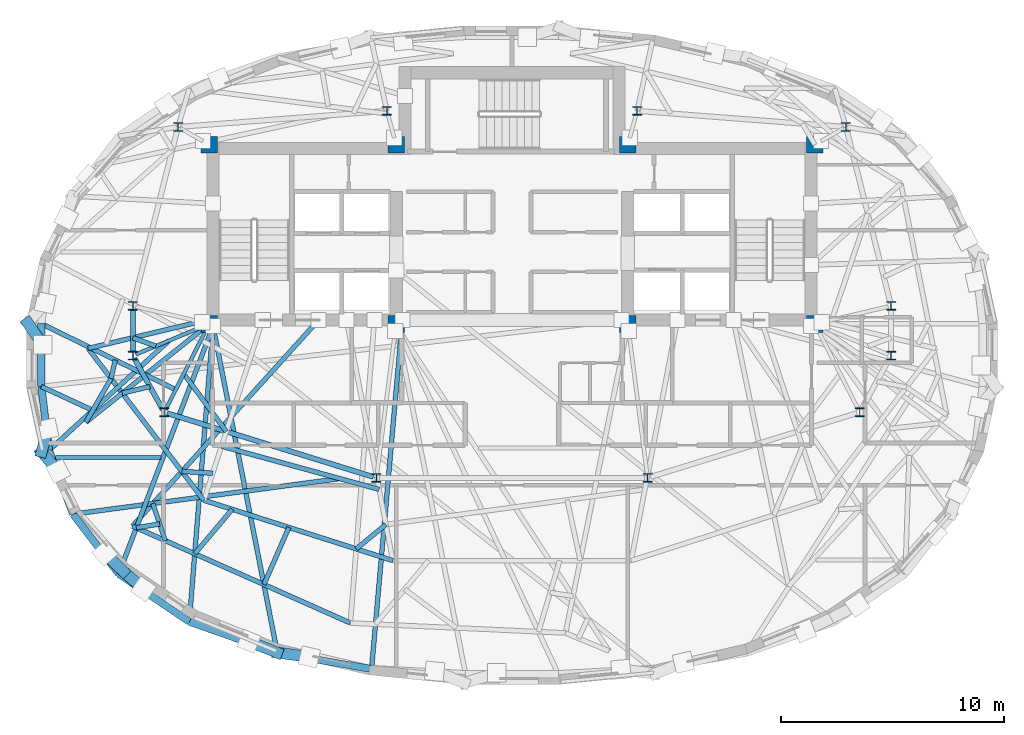
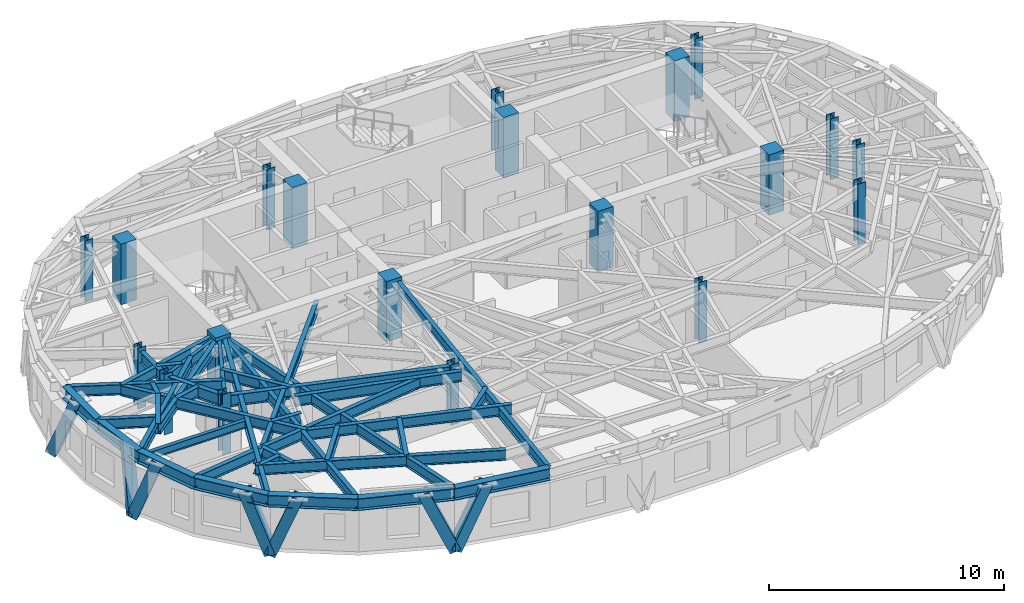
# One storey, part 1 of 13: 39 beams, 20 columns, 7 members.
"""IFC4 building model written with IfcOpenShell, lengths in metres."""

import ifcopenshell
import ifcopenshell.guid

model = None  # the IFC model being written
_history = None  # IfcOwnerHistory: only IFC2X3 demands one
_inside = {}  # id of a spatial element -> (the spatial element, [elements in it])
_under = {}  # id of a project, library or spatial element -> (it, [spatial elements below it])
_declared = {}  # id of a project -> (the project, [libraries it declares])
_typed = {}  # id of a type object -> (the type object, [elements of that type])
_made_of = {}  # id of a material, layer set ... -> (it, [elements and type objects made of it])


def new_model(schema):
    """Start an empty IFC model of exactly this schema.

    Asked for "IFC4X3", IfcOpenShell would pick the latest addendum, in which some entities
    have other attributes; the version numbers below select the first issue.
    IFC2X3 requires an IfcOwnerHistory on every rooted entity: one is made here for all.
    """
    global model, _history
    if schema == "IFC4X3":
        model = ifcopenshell.file(schema_version=(4, 3, 0, 0))
    else:
        model = ifcopenshell.file(schema=schema)
    _inside.clear()
    _under.clear()
    _declared.clear()
    _typed.clear()
    _made_of.clear()
    _history = None
    if model.schema == "IFC2X3":
        org = make("IfcOrganization", Name="unknown")
        user = make(
            "IfcPersonAndOrganization",
            ThePerson=make("IfcPerson", FamilyName="unknown"),
            TheOrganization=org,
        )
        app = make(
            "IfcApplication",
            ApplicationDeveloper=org,
            Version="unknown",
            ApplicationFullName="unknown",
            ApplicationIdentifier="unknown",
        )
        _history = make(
            "IfcOwnerHistory",
            OwningUser=user,
            OwningApplication=app,
            ChangeAction="ADDED",
            CreationDate=0,
        )
    return model


def make(cls, **values):
    """One entity of the class cls with the attributes given. An attribute that is None is left unset."""
    return model.create_entity(
        cls, **{name: value for name, value in values.items() if value is not None}
    )


def rooted(cls, **values):
    """An entity with a GlobalId (a new one), such as an element, a storey or a relation."""
    return make(cls, GlobalId=ifcopenshell.guid.new(), OwnerHistory=_history, **values)


def si_unit(unit_type, name, prefix=None):
    """IfcSIUnit, for example si_unit("LENGTHUNIT", "METRE", prefix="MILLI")."""
    return make("IfcSIUnit", UnitType=unit_type, Prefix=prefix, Name=name)


def assignment(units):
    """IfcUnitAssignment: the units of a project."""
    return None if units is None else make("IfcUnitAssignment", Units=units)


def point(xyz):
    """IfcCartesianPoint."""
    return None if xyz is None else make("IfcCartesianPoint", Coordinates=xyz)


def direction(xyz):
    """IfcDirection."""
    return None if xyz is None else make("IfcDirection", DirectionRatios=xyz)


def frame(location, z_axis=None, x_axis=None):
    """IfcAxis2Placement3D, a coordinate frame: its origin and axes. An axis left out is left unset."""
    return make(
        "IfcAxis2Placement3D",
        Location=point(location),
        Axis=direction(z_axis),
        RefDirection=direction(x_axis),
    )


def frame_2d(location, x_axis=None):
    """IfcAxis2Placement2D, a coordinate frame in the plane: its origin and x axis."""
    return make(
        "IfcAxis2Placement2D", Location=point(location), RefDirection=direction(x_axis)
    )


def origin():
    """The frame at (0, 0, 0) with its axes left unset."""
    return frame((0.0, 0.0, 0.0))


def origin_2d():
    """The frame at (0, 0) in the plane with its x axis left unset."""
    return frame_2d((0.0, 0.0))


def place(relative_to, where):
    """IfcLocalPlacement: puts the frame where relative to a parent placement (None: the world)."""
    return make(
        "IfcLocalPlacement", PlacementRelTo=relative_to, RelativePlacement=where
    )


def context(
    kind, dimensions, precision=None, world=None, true_north=None, identifier=None
):
    """IfcGeometricRepresentationContext, for example the 3D "Model" context."""
    return make(
        "IfcGeometricRepresentationContext",
        ContextIdentifier=identifier,
        ContextType=kind,
        CoordinateSpaceDimension=dimensions,
        Precision=precision,
        WorldCoordinateSystem=world,
        TrueNorth=true_north,
    )


def subcontext(parent, identifier, kind, view, scale=None):
    """IfcGeometricRepresentationSubContext, for example "Body" below "Model"."""
    return make(
        "IfcGeometricRepresentationSubContext",
        ContextIdentifier=identifier,
        ContextType=kind,
        ParentContext=parent,
        TargetScale=scale,
        TargetView=view,
    )


def project(units=None, contexts=None):
    """IfcProject with its units and contexts."""
    return rooted(
        "IfcProject",
        Name="project",
        RepresentationContexts=contexts,
        UnitsInContext=assignment(units),
    )


def spatial(cls, under=None, at=None, **own):
    """A site, building, storey or space (cls), placed at a placement, below another one or the project."""
    s = rooted(cls, ObjectPlacement=at, **own)
    if under is not None:
        _under.setdefault(under.id(), (under, []))[1].append(s)
    return s


def profile(cls, at=None, kind="AREA", **sizes):
    """A parametric profile (cls). Its sizes go by their IFC names, for example OverallWidth=200.0."""
    return make(cls, ProfileType=kind, Position=at, **sizes)


def rectangle(**sizes):
    """IfcRectangleProfileDef."""
    return profile("IfcRectangleProfileDef", **sizes)


def hollow_rectangle(**sizes):
    """IfcRectangleHollowProfileDef."""
    return profile("IfcRectangleHollowProfileDef", **sizes)


def i_section(**sizes):
    """IfcIShapeProfileDef."""
    return profile("IfcIShapeProfileDef", **sizes)


def extrude(swept, where, along, depth):
    """IfcExtrudedAreaSolid: the profile swept, set in the frame where, extruded along a direction by depth."""
    return make(
        "IfcExtrudedAreaSolid",
        SweptArea=swept,
        Position=where,
        ExtrudedDirection=direction(along),
        Depth=depth,
    )


def shape(context_of_items, identifier, shape_type, items):
    """IfcShapeRepresentation: the items that make up one representation, for example the "Body"."""
    return make(
        "IfcShapeRepresentation",
        ContextOfItems=context_of_items,
        RepresentationIdentifier=identifier,
        RepresentationType=shape_type,
        Items=items,
    )


def material(Name=None, Category=None):
    """IfcMaterial."""
    return make("IfcMaterial", Name=Name, Category=Category)


def material_profile(
    of_material, cross_section, Name=None, Category=None, Priority=None
):
    """IfcMaterialProfile: a cross section and its material."""
    return make(
        "IfcMaterialProfile",
        Name=Name,
        Material=of_material,
        Profile=cross_section,
        Priority=Priority,
        Category=Category,
    )


def profile_set(profiles, Name=None, composite=None):
    """IfcMaterialProfileSet."""
    return make(
        "IfcMaterialProfileSet",
        Name=Name,
        MaterialProfiles=profiles,
        CompositeProfile=composite,
    )


def made_of(thing, what):
    """Note that an element or type object is made of a material, layer set ...; save() writes the relation."""
    if what is not None:
        _made_of.setdefault(what.id(), (what, []))[1].append(thing)
    return thing


def type_object(cls, material=None, **own):
    """A type object (cls), such as IfcWallType, which elements share."""
    return made_of(rooted(cls, **own), material)


def element(
    cls,
    number,
    at=None,
    inside=None,
    cuts=None,
    type_object=None,
    material=None,
    context=None,
    identifier="Body",
    shape_type=None,
    held_by="IfcProductDefinitionShape",
    body=None,
    shapes=None,
    **own,
):
    """One element of the class cls, such as IfcWall. Its Tag is "e" and its number.

    at: its placement. inside: the storey or other place that contains it. cuts: it is an
    opening in that element (IfcRelVoidsElement). A single representation is given by context,
    identifier, shape_type and body (its items); several are given by shapes. held_by: the class
    of the entity that holds the representations. save() writes the other relations.
    """
    e = rooted(cls, Tag="e%d" % number, ObjectPlacement=at, **own)
    if body is not None:
        shapes = [shape(context, identifier, shape_type, body)]
    if shapes is not None:
        e.Representation = make(held_by, Representations=shapes)
    if inside is not None:
        _inside.setdefault(inside.id(), (inside, []))[1].append(e)
    if cuts is not None:
        rooted(
            "IfcRelVoidsElement", RelatingBuildingElement=cuts, RelatedOpeningElement=e
        )
    if type_object is not None:
        _typed.setdefault(type_object.id(), (type_object, []))[1].append(e)
    return made_of(e, material)


def aggregate(whole, parts):
    """IfcRelAggregates: a whole, such as a stair, and the parts it consists of."""
    return rooted("IfcRelAggregates", RelatingObject=whole, RelatedObjects=parts)


def save(model, path):
    """Write the relations noted so far, then the file.

    IfcRelAggregates (storeys below a building ...), IfcRelContainedInSpatialStructure (elements
    in a storey), IfcRelDefinesByType, IfcRelAssociatesMaterial and IfcRelDeclares: one each for
    every whole, place, type object, material and project.
    """
    for whole, parts in _under.values():
        aggregate(whole, parts)
    for where, things in _inside.values():
        rooted(
            "IfcRelContainedInSpatialStructure",
            RelatedElements=things,
            RelatingStructure=where,
        )
    for kind, things in _typed.values():
        rooted("IfcRelDefinesByType", RelatedObjects=things, RelatingType=kind)
    for what, things in _made_of.values():
        rooted("IfcRelAssociatesMaterial", RelatedObjects=things, RelatingMaterial=what)
    for by, libraries in _declared.values():
        rooted("IfcRelDeclares", RelatingContext=by, RelatedDefinitions=libraries)
    model.write(path)


model = new_model("IFC4")

# Units and contexts
model_context = context("Model", 3, precision=1e-05, world=origin(), true_north=direction((0.0, 1.0)))
body_context = subcontext(model_context, "Body", "Model", "MODEL_VIEW")
ifc_project = project(units=[si_unit("LENGTHUNIT", "METRE"), si_unit("AREAUNIT", "SQUARE_METRE"), si_unit("VOLUMEUNIT", "CUBIC_METRE"), si_unit("PLANEANGLEUNIT", "RADIAN"), si_unit("MASSUNIT", "GRAM", prefix="KILO")], contexts=[model_context])

# Site, building, storey
site_placement = place(None, origin())
site = spatial("IfcSite", under=ifc_project, at=site_placement, CompositionType="ELEMENT")
building_placement = place(site_placement, origin())
building = spatial("IfcBuilding", under=site, at=building_placement, Name="Keldmark Tower", CompositionType="ELEMENT")
storey_placement = place(building_placement, frame((0.0, 0.0, 244.64990234375)))
storey = spatial("IfcBuildingStorey", under=building, at=storey_placement, Name="L69", CompositionType="ELEMENT", Elevation=244.64990234375)

# Columns
ifc_material_1 = material(Name="Concrete C50/60", Category="concrete")
ifc_material_profile_1 = material_profile(ifc_material_1, rectangle(XDim=0.75, YDim=0.75, at=origin_2d()), Name="RC750X750")
ifc_profile_set_1 = profile_set([ifc_material_profile_1], Name="Concrete C50/60")
column_type_1 = type_object("IfcColumnType", Name="Core Boundary Column RC750", PredefinedType="PILASTER", material=ifc_profile_set_1)
for number, where, z_axis, x_axis, name in (
    (1, (-13.60009765625, 1.39990234375, 0.0), (0.0, 0.0, 1.0), (1.0, 0.0, 0.0), "L69 Core Boundary Column CC-W1"),
    (2, (-13.60009765625, 9.449951171875, 0.0), (0.0, 0.0, 1.0), (1.0, 0.0, 0.0), "L69 Core Boundary Column CC-W2"),
    (3, (-5.199951171875, 1.39990234375, 0.0), (0.0, 0.0, 1.0), (1.0, 0.0, 0.0), "L69 Core Boundary Column CC-W3"),
    (4, (-5.199951171875, 9.449951171875, 0.0), (0.0, 0.0, 1.0), (1.0, 0.0, 0.0), "L69 Core Boundary Column CC-W4"),
    (5, (5.199951171875, 1.39990234375, 0.0), (0.0, 0.0, 1.0), (1.0, 0.0, 0.0), "L69 Core Boundary Column CC-E1"),
    (6, (5.199951171875, 9.449951171875, 0.0), (0.0, 0.0, 1.0), (1.0, 0.0, 0.0), "L69 Core Boundary Column CC-E2"),
    (7, (13.60009765625, 1.39990234375, 0.0), (0.0, 0.0, 1.0), (1.0, 0.0, 0.0), "L69 Core Boundary Column CC-E3"),
    (8, (13.60009765625, 9.449951171875, 0.0), (0.0, 0.0, 1.0), (1.0, 0.0, 0.0), "L69 Core Boundary Column CC-E4"),
):
    element("IfcColumn", number, at=place(storey_placement, frame(where, z_axis=z_axis, x_axis=x_axis)), inside=storey, type_object=column_type_1, Name=name, PredefinedType="PILASTER", context=body_context, shape_type="SweptSolid", body=[
        extrude(rectangle(XDim=0.75, YDim=0.75, at=origin_2d()), origin(), (0.0, 0.0, 1.0), 3.150146484375),
    ])
ifc_material_2 = material(Name="Steel ASTM A992 Grade 50", Category="steel")
ifc_material_profile_2 = material_profile(ifc_material_2, i_section(OverallWidth=0.39892578125, OverallDepth=0.386962890625, WebThickness=0.02099609375, FlangeThickness=0.033203125, at=origin_2d()), Name="W14X176")
ifc_profile_set_2 = profile_set([ifc_material_profile_2], Name="Steel ASTM A992 Grade 50")
column_type_2 = type_object("IfcColumnType", Name="Tower Gravity Column W14X176", PredefinedType="COLUMN", material=ifc_profile_set_2)
for number, where, z_axis, x_axis, name in (
    (9, (17.025634765625, 2.2080078125, 0.0), (0.0, 0.0, 1.0), (1.0, 0.0, 0.0), "L69 Tower Gravity Column TC-E1"),
    (10, (14.995849609375, 10.24365234375, 0.0), (0.0, 0.0, 1.0), (1.0, 0.0, 0.0), "L69 Tower Gravity Column TC-E4"),
    (11, (5.61865234375, 10.967041015625, 0.0), (0.0, 0.0, 1.0), (1.0, 0.0, 0.0), "L69 Tower Gravity Column TC-N2"),
    (12, (-5.61865234375, 10.967041015625, 0.0), (0.0, 0.0, 1.0), (1.0, 0.0, 0.0), "L69 Tower Gravity Column TC-N1"),
    (13, (-14.995849609375, 10.24365234375, 0.0), (0.0, 0.0, 1.0), (1.0, 0.0, 0.0), "L69 Tower Gravity Column TC-W4"),
    (14, (-17.025634765625, 2.2080078125, 0.0), (0.0, 0.0, 1.0), (1.0, 0.0, 0.0), "L69 Tower Gravity Column TC-W1"),
    (15, (-17.025634765625, -0.02392578125, 0.0), (0.0, 0.0, 1.0), (1.0, 0.0, 0.0), "L69 Tower Gravity Column TC-W5"),
    (16, (-15.6162109375, -2.5673828125, 0.0), (0.0, 0.0, 1.0), (1.0, 0.0, 0.0), "L69 Tower Gravity Column TC-W2"),
    (17, (-6.089599609375, -5.512939453125, 0.0), (0.0, 0.0, 1.0), (1.0, 0.0, 0.0), "L69 Tower Gravity Column TC-W3"),
    (18, (6.089599609375, -5.512939453125, 0.0), (0.0, 0.0, 1.0), (1.0, 0.0, 0.0), "L69 Tower Gravity Column TC-E3"),
    (19, (15.6162109375, -2.5673828125, 0.0), (0.0, 0.0, 1.0), (1.0, 0.0, 0.0), "L69 Tower Gravity Column TC-E2"),
    (20, (17.025634765625, -0.02392578125, 0.0), (0.0, 0.0, 1.0), (1.0, 0.0, 0.0), "L69 Tower Gravity Column TC-E5"),
):
    element("IfcColumn", number, at=place(storey_placement, frame(where, z_axis=z_axis, x_axis=x_axis)), inside=storey, type_object=column_type_2, Name=name, PredefinedType="COLUMN", context=body_context, shape_type="SweptSolid", body=[
        extrude(i_section(OverallWidth=0.39892578125, OverallDepth=0.386962890625, WebThickness=0.02099609375, FlangeThickness=0.033203125, at=origin_2d()), origin(), (0.0, 0.0, 1.0), 3.150146484375),
    ])

# Beam
ifc_material_3 = material(Name="Steel ASTM A992 Grade 50", Category="steel")
ifc_material_profile_3 = material_profile(ifc_material_3, i_section(OverallWidth=0.177978515625, OverallDepth=0.403076171875, WebThickness=0.007568359375, FlangeThickness=0.010986328125, at=origin_2d()), Name="W16X36")
ifc_profile_set_3 = profile_set([ifc_material_profile_3], Name="Steel ASTM A992 Grade 50")
beam_type_1 = type_object("IfcBeamType", Name="Composite Floor Joist W16X36", PredefinedType="JOIST", material=ifc_profile_set_3)
beam_1_placement = place(storey_placement, frame((-20.50439453125, -4.60009765625, 2.7685546875), z_axis=(1.0, 0.0, 0.0), x_axis=(0.0, 1.0, 0.0)))
element("IfcBeam", 21, at=beam_1_placement, inside=storey, type_object=beam_type_1, Name="L69 Composite Floor Joist J02", PredefinedType="JOIST", context=body_context, shape_type="SweptSolid", body=[
    extrude(i_section(OverallWidth=0.177978515625, OverallDepth=0.403076171875, WebThickness=0.007568359375, FlangeThickness=0.010986328125, at=origin_2d()), origin(), (0.0, 0.0, 1.0), 4.7314453125),
])

# Members
ifc_material_4 = material(Name="Steel ASTM A572 Grade 50", Category="steel")
ifc_material_profile_4 = material_profile(ifc_material_4, hollow_rectangle(XDim=0.5, YDim=0.5, WallThickness=0.030029296875, at=origin_2d()), Name="BOX500X500X30")
ifc_profile_set_4 = profile_set([ifc_material_profile_4], Name="Steel ASTM A572 Grade 50")
member_type = type_object("IfcMemberType", Name="Diagrid Upper Brace BOX500X500X30", PredefinedType="BRACE", material=ifc_profile_set_4)
member_1_placement = place(storey_placement, frame((-21.74951171875, 1.45068359375, -0.260009765625), z_axis=(0.202538221904, -0.295966670865, 0.933478440246), x_axis=(0.825262153266, 0.564749836996, 0.0)))
element("IfcMember", 22, at=member_1_placement, inside=storey, type_object=member_type, Name="L69 Perimeter Diagrid Brace 08B", PredefinedType="BRACE", context=body_context, shape_type="SweptSolid", body=[
    extrude(hollow_rectangle(XDim=0.5, YDim=0.5, WallThickness=0.030029296875, at=origin_2d()), origin(), (0.0, 0.0, 1.0), 3.331787109375),
])
member_2_placement = place(storey_placement, frame((-21.124755859375, -4.351806640625, -0.260009765625), z_axis=(0.084668703009, 0.315003193928, 0.945306404583), x_axis=(-0.965723305221, 0.259573684631, 0.0)))
element("IfcMember", 23, at=member_2_placement, inside=storey, type_object=member_type, Name="L69 Perimeter Diagrid Brace 09A", PredefinedType="BRACE", context=body_context, shape_type="SweptSolid", body=[
    extrude(hollow_rectangle(XDim=0.5, YDim=0.5, WallThickness=0.030029296875, at=origin_2d()), origin(), (0.0, 0.0, 1.0), 3.2900390625),
])
member_3_placement = place(storey_placement, frame((-21.127197265625, -4.340087890625, -0.260009765625), z_axis=(0.226822598009, -0.263767745381, 0.937538311499), x_axis=(0.758210296227, 0.652010081744, 0.0)))
element("IfcMember", 24, at=member_3_placement, inside=storey, type_object=member_type, Name="L69 Perimeter Diagrid Brace 09B", PredefinedType="BRACE", context=body_context, shape_type="SweptSolid", body=[
    extrude(hollow_rectangle(XDim=0.5, YDim=0.5, WallThickness=0.030029296875, at=origin_2d()), origin(), (0.0, 0.0, 1.0), 3.3173828125),
])
member_4_placement = place(storey_placement, frame((-17.451904296875, -9.713134765625, -0.260009765625), z_axis=(-0.252429244839, 0.24368169675, 0.93642869831), x_axis=(-0.694530948393, -0.719462828591, 0.0)))
element("IfcMember", 25, at=member_4_placement, inside=storey, type_object=member_type, Name="L69 Perimeter Diagrid Brace 10A", PredefinedType="BRACE", context=body_context, shape_type="SweptSolid", body=[
    extrude(hollow_rectangle(XDim=0.5, YDim=0.5, WallThickness=0.030029296875, at=origin_2d()), origin(), (0.0, 0.0, 1.0), 3.3212890625),
])
member_5_placement = place(storey_placement, frame((-17.45849609375, -9.703369140625, -0.260009765625), z_axis=(0.27050892208, -0.239842461487, 0.932362867527), x_axis=(0.663420882061, 0.748246438846, 0.0)))
element("IfcMember", 26, at=member_5_placement, inside=storey, type_object=member_type, Name="L69 Perimeter Diagrid Brace 10B", PredefinedType="BRACE", context=body_context, shape_type="SweptSolid", body=[
    extrude(hollow_rectangle(XDim=0.5, YDim=0.5, WallThickness=0.030029296875, at=origin_2d()), origin(), (0.0, 0.0, 1.0), 3.335693359375),
])
member_6_placement = place(storey_placement, frame((-10.53173828125, -13.36279296875, -0.260009765625), z_axis=(-0.377697219119, 0.148998504104, 0.913862274331), x_axis=(-0.366969412837, -0.930233008467, 0.0)))
element("IfcMember", 27, at=member_6_placement, inside=storey, type_object=member_type, Name="L69 Perimeter Diagrid Brace 11A", PredefinedType="BRACE", context=body_context, shape_type="SweptSolid", body=[
    extrude(hollow_rectangle(XDim=0.5, YDim=0.5, WallThickness=0.030029296875, at=origin_2d()), origin(), (0.0, 0.0, 1.0), 3.4033203125),
])
member_7_placement = place(storey_placement, frame((-10.54150390625, -13.356201171875, -0.260009765625), z_axis=(0.42006443805, -0.058577271442, 0.905601772942), x_axis=(0.138111914425, 0.990416629048, 0.0)))
element("IfcMember", 28, at=member_7_placement, inside=storey, type_object=member_type, Name="L69 Perimeter Diagrid Brace 11B", PredefinedType="BRACE", context=body_context, shape_type="SweptSolid", body=[
    extrude(hollow_rectangle(XDim=0.5, YDim=0.5, WallThickness=0.030029296875, at=origin_2d()), origin(), (0.0, 0.0, 1.0), 3.434326171875),
])

# Beams
ifc_material_5 = material(Name="Steel ASTM A992 Grade 50", Category="steel")
ifc_material_profile_5 = material_profile(ifc_material_5, i_section(OverallWidth=0.22802734375, OverallDepth=0.60302734375, WebThickness=0.010498046875, FlangeThickness=0.014892578125, at=origin_2d()), Name="W24X68")
ifc_profile_set_5 = profile_set([ifc_material_profile_5], Name="Steel ASTM A992 Grade 50")
beam_type_2 = type_object("IfcBeamType", Name="Primary Floor Girder W24X68", PredefinedType="BEAM", material=ifc_profile_set_5)
beam_2_placement = place(storey_placement, frame((-17.025634765625, 2.068115234375, 2.668701171875), z_axis=(0.0, -1.0, 0.0), x_axis=(1.0, 0.0, 0.0)))
element("IfcBeam", 29, at=beam_2_placement, inside=storey, type_object=beam_type_2, Name="L69 Floor Ring Girder FG-R06", PredefinedType="BEAM", context=body_context, shape_type="SweptSolid", body=[
    extrude(i_section(OverallWidth=0.22802734375, OverallDepth=0.60302734375, WebThickness=0.010498046875, FlangeThickness=0.014892578125, at=origin_2d()), origin(), (0.0, 0.0, 1.0), 1.9521484375),
])
beam_3_placement = place(storey_placement, frame((-16.957763671875, -0.146484375, 2.668701171875), z_axis=(0.484719680408, -0.874669555561, 0.0), x_axis=(0.874669555561, 0.484719680408, 0.0)))
element("IfcBeam", 30, at=beam_3_placement, inside=storey, type_object=beam_type_2, Name="L69 Floor Ring Girder FG-R07", PredefinedType="BEAM", context=body_context, shape_type="SweptSolid", body=[
    extrude(i_section(OverallWidth=0.22802734375, OverallDepth=0.60302734375, WebThickness=0.010498046875, FlangeThickness=0.014892578125, at=origin_2d()), origin(), (0.0, 0.0, 1.0), 2.627685546875),
])
beam_4_placement = place(storey_placement, frame((-15.482421875, -2.60888671875, 2.668701171875), z_axis=(0.955383255089, -0.295368982622, 0.0), x_axis=(0.295368982622, 0.955383255089, 0.0)))
element("IfcBeam", 31, at=beam_4_placement, inside=storey, type_object=beam_type_2, Name="L69 Floor Ring Girder FG-R08", PredefinedType="BEAM", context=body_context, shape_type="SweptSolid", body=[
    extrude(i_section(OverallWidth=0.22802734375, OverallDepth=0.60302734375, WebThickness=0.010498046875, FlangeThickness=0.014892578125, at=origin_2d()), origin(), (0.0, 0.0, 1.0), 9.69140625),
])
ifc_material_6 = material(Name="Steel ASTM A992 Grade 50", Category="steel")
ifc_material_profile_6 = material_profile(ifc_material_6, i_section(OverallWidth=0.166015625, OverallDepth=0.529052734375, WebThickness=0.009765625, FlangeThickness=0.013671875, at=origin_2d()), Name="W21X50")
ifc_profile_set_6 = profile_set([ifc_material_profile_6], Name="Steel ASTM A992 Grade 50")
beam_type_3 = type_object("IfcBeamType", Name="Radial Tie Girder W21X50", PredefinedType="BEAM", material=ifc_profile_set_6)
beam_5_placement = place(storey_placement, frame((-16.896240234375, 0.02978515625, 2.70556640625), z_axis=(0.923403331902, 0.383831065226, 0.0), x_axis=(-0.383831065226, 0.923403331902, 0.0)))
element("IfcBeam", 32, at=beam_5_placement, inside=storey, type_object=beam_type_3, Name="L69 Floor Radial Girder FG-C07", PredefinedType="BEAM", context=body_context, shape_type="SweptSolid", body=[
    extrude(i_section(OverallWidth=0.166015625, OverallDepth=0.529052734375, WebThickness=0.009765625, FlangeThickness=0.013671875, at=origin_2d()), origin(), (0.0, 0.0, 1.0), 3.249755859375),
])
beam_6_placement = place(storey_placement, frame((-15.552734375, -2.442626953125, 2.70556640625), z_axis=(0.453004410574, 0.89150827478, 0.0), x_axis=(-0.89150827478, 0.453004410574, 0.0)))
element("IfcBeam", 33, at=beam_6_placement, inside=storey, type_object=beam_type_3, Name="L69 Floor Radial Girder FG-C08", PredefinedType="BEAM", context=body_context, shape_type="SweptSolid", body=[
    extrude(i_section(OverallWidth=0.166015625, OverallDepth=0.529052734375, WebThickness=0.009765625, FlangeThickness=0.013671875, at=origin_2d()), origin(), (0.0, 0.0, 1.0), 3.990234375),
])
ifc_material_7 = material(Name="Steel ASTM A992 Grade 50", Category="steel")
ifc_material_profile_7 = material_profile(ifc_material_7, i_section(OverallWidth=0.2099609375, OverallDepth=0.537109375, WebThickness=0.010986328125, FlangeThickness=0.017333984375, at=origin_2d()), Name="W21X68")
ifc_profile_set_7 = profile_set([ifc_material_profile_7], Name="Steel ASTM A992 Grade 50")
beam_type_4 = type_object("IfcBeamType", Name="Radial Tie Girder W21X68", PredefinedType="BEAM", material=ifc_profile_set_7)
beam_7_placement = place(storey_placement, frame((-15.99609375, 0.40380859375, 2.70166015625), z_axis=(-0.939324284721, 0.343030447823, 0.0), x_axis=(-0.343030447823, -0.939324284721, 0.0)))
element("IfcBeam", 34, at=beam_7_placement, inside=storey, type_object=beam_type_4, Name="L69 Framing Pin Header PH-001", PredefinedType="BEAM", context=body_context, shape_type="SweptSolid", body=[
    extrude(i_section(OverallWidth=0.2099609375, OverallDepth=0.537109375, WebThickness=0.010986328125, FlangeThickness=0.017333984375, at=origin_2d()), origin(), (0.0, 0.0, 1.0), 1.095947265625),
])
beam_8_placement = place(storey_placement, frame((-13.699951171875, 1.574951171875, 2.70166015625), z_axis=(-0.972599025108, -0.232489002661, 0.0), x_axis=(0.232489002661, -0.972599025108, 0.0)))
element("IfcBeam", 35, at=beam_8_placement, inside=storey, type_object=beam_type_4, Name="L69 Sub-Ring Step Girder STP1-M07", PredefinedType="BEAM", context=body_context, shape_type="SweptSolid", body=[
    extrude(i_section(OverallWidth=0.2099609375, OverallDepth=0.537109375, WebThickness=0.010986328125, FlangeThickness=0.017333984375, at=origin_2d()), origin(), (0.0, 0.0, 1.0), 5.48486328125),
])
beam_9_placement = place(storey_placement, frame((-14.7392578125, -0.841796875, 2.70166015625), z_axis=(0.594045294701, -0.804431593017, 0.0), x_axis=(0.804431593017, 0.594045294701, 0.0)))
element("IfcBeam", 36, at=beam_9_placement, inside=storey, type_object=beam_type_4, Name="L69 Framing Pin Header PH-002", PredefinedType="BEAM", context=body_context, shape_type="SweptSolid", body=[
    extrude(i_section(OverallWidth=0.2099609375, OverallDepth=0.537109375, WebThickness=0.010986328125, FlangeThickness=0.017333984375, at=origin_2d()), origin(), (0.0, 0.0, 1.0), 3.216796875),
])
beam_10_placement = place(storey_placement, frame((-13.04443359375, -4.0908203125, 2.70166015625), z_axis=(0.964451433993, -0.264260158688, 0.0), x_axis=(0.264260158688, 0.964451433993, 0.0)))
element("IfcBeam", 37, at=beam_10_placement, inside=storey, type_object=beam_type_4, Name="L69 Framing Pin Header PH-003", PredefinedType="BEAM", context=body_context, shape_type="SweptSolid", body=[
    extrude(i_section(OverallWidth=0.2099609375, OverallDepth=0.537109375, WebThickness=0.010986328125, FlangeThickness=0.017333984375, at=origin_2d()), origin(), (0.0, 0.0, 1.0), 7.33837890625),
])
beam_11_placement = place(storey_placement, frame((-19.034423828125, 0.2998046875, 2.70166015625), z_axis=(0.606133300073, -0.795363075924, 0.0), x_axis=(0.795363075924, 0.606133300073, 0.0)))
element("IfcBeam", 38, at=beam_11_placement, inside=storey, type_object=beam_type_4, Name="L69 Perimeter Collector Ring Beam CRG1-M07", PredefinedType="BEAM", context=body_context, shape_type="SweptSolid", body=[
    extrude(i_section(OverallWidth=0.2099609375, OverallDepth=0.537109375, WebThickness=0.010986328125, FlangeThickness=0.017333984375, at=origin_2d()), origin(), (0.0, 0.0, 1.0), 8.5732421875),
])
beam_12_placement = place(storey_placement, frame((-13.837890625, -6.51904296875, 2.70166015625), z_axis=(0.952653299931, -0.304058695206, 0.0), x_axis=(0.304058695206, 0.952653299931, 0.0)))
element("IfcBeam", 39, at=beam_12_placement, inside=storey, type_object=beam_type_4, Name="L69 Perimeter Collector Ring Beam CRG1-M08", PredefinedType="BEAM", context=body_context, shape_type="SweptSolid", body=[
    extrude(i_section(OverallWidth=0.2099609375, OverallDepth=0.537109375, WebThickness=0.010986328125, FlangeThickness=0.017333984375, at=origin_2d()), origin(), (0.0, 0.0, 1.0), 8.90869140625),
])
beam_13_placement = place(storey_placement, frame((-13.441162109375, -5.304931640625, 2.70166015625), z_axis=(-0.998279227536, 0.058639439543, 0.0), x_axis=(-0.058639439543, -0.998279227536, 0.0)))
element("IfcBeam", 40, at=beam_13_placement, inside=storey, type_object=beam_type_4, Name="L69 Framing Pin Header PH-008", PredefinedType="BEAM", context=body_context, shape_type="SweptSolid", body=[
    extrude(i_section(OverallWidth=0.2099609375, OverallDepth=0.537109375, WebThickness=0.010986328125, FlangeThickness=0.017333984375, at=origin_2d()), origin(), (0.0, 0.0, 1.0), 1.386474609375),
])
beam_14_placement = place(storey_placement, frame((-8.685791015625, 1.574951171875, 2.70166015625), z_axis=(-0.670216675616, -0.742165485405, 0.0), x_axis=(0.742165485405, -0.670216675616, 0.0)))
element("IfcBeam", 41, at=beam_14_placement, inside=storey, type_object=beam_type_4, Name="L69 Sub-Ring Step Girder STP2-M08", PredefinedType="BEAM", context=body_context, shape_type="SweptSolid", body=[
    extrude(i_section(OverallWidth=0.2099609375, OverallDepth=0.537109375, WebThickness=0.010986328125, FlangeThickness=0.017333984375, at=origin_2d()), origin(), (0.0, 0.0, 1.0), 12.466796875),
])
beam_15_placement = place(storey_placement, frame((-5.6630859375, -7.607421875, 2.70166015625), z_axis=(-0.77210592423, -0.635493856595, 0.0), x_axis=(0.635493856595, -0.77210592423, 0.0)))
element("IfcBeam", 42, at=beam_15_placement, inside=storey, type_object=beam_type_4, Name="L69 Framing Pin Header PH-009", PredefinedType="BEAM", context=body_context, shape_type="SweptSolid", body=[
    extrude(i_section(OverallWidth=0.2099609375, OverallDepth=0.537109375, WebThickness=0.010986328125, FlangeThickness=0.017333984375, at=origin_2d()), origin(), (0.0, 0.0, 1.0), 1.724609375),
])
beam_16_placement = place(storey_placement, frame((-17.041259765625, -7.677490234375, 2.70166015625), z_axis=(0.913629045302, -0.406548850177, 0.0), x_axis=(0.406548850177, 0.913629045302, 0.0)))
element("IfcBeam", 43, at=beam_16_placement, inside=storey, type_object=beam_type_4, Name="L69 Perimeter Collector Ring Beam CRG2-M08", PredefinedType="BEAM", context=body_context, shape_type="SweptSolid", body=[
    extrude(i_section(OverallWidth=0.2099609375, OverallDepth=0.537109375, WebThickness=0.010986328125, FlangeThickness=0.017333984375, at=origin_2d()), origin(), (0.0, 0.0, 1.0), 10.707275390625),
])
beam_17_placement = place(storey_placement, frame((-15.100830078125, -1.55322265625, 2.70166015625), z_axis=(-0.897514233726, 0.440985487583, 0.0), x_axis=(-0.440985487583, -0.897514233726, 0.0)))
element("IfcBeam", 44, at=beam_17_placement, inside=storey, type_object=beam_type_4, Name="L69 Perimeter Radial Tie Girder RT-16", PredefinedType="BEAM", context=body_context, shape_type="SweptSolid", body=[
    extrude(i_section(OverallWidth=0.2099609375, OverallDepth=0.537109375, WebThickness=0.010986328125, FlangeThickness=0.017333984375, at=origin_2d()), origin(), (0.0, 0.0, 1.0), 6.72265625),
])
beam_18_placement = place(storey_placement, frame((-17.81591796875, -0.21923828125, 2.70166015625), z_axis=(-0.220076644932, -0.975482583317, 0.0), x_axis=(0.975482583317, -0.220076644932, 0.0)))
element("IfcBeam", 45, at=beam_18_placement, inside=storey, type_object=beam_type_4, Name="L69 Framing Pin Header PH-020", PredefinedType="BEAM", context=body_context, shape_type="SweptSolid", body=[
    extrude(i_section(OverallWidth=0.2099609375, OverallDepth=0.537109375, WebThickness=0.010986328125, FlangeThickness=0.017333984375, at=origin_2d()), origin(), (0.0, 0.0, 1.0), 0.854248046875),
])
beam_19_placement = place(storey_placement, frame((-16.257080078125, -1.41064453125, 2.70166015625), z_axis=(-0.972019189249, -0.234901459622, 0.0), x_axis=(0.234901459622, -0.972019189249, 0.0)))
element("IfcBeam", 46, at=beam_19_placement, inside=storey, type_object=beam_type_4, Name="L69 Framing Pin Header PH-021", PredefinedType="BEAM", context=body_context, shape_type="SweptSolid", body=[
    extrude(i_section(OverallWidth=0.2099609375, OverallDepth=0.537109375, WebThickness=0.010986328125, FlangeThickness=0.017333984375, at=origin_2d()), origin(), (0.0, 0.0, 1.0), 1.280517578125),
])
beam_20_placement = place(storey_placement, frame((-13.60009765625, 1.39990234375, 2.70166015625), z_axis=(-0.781837232981, -0.623482590876, 0.0), x_axis=(0.623482590876, -0.781837232981, 0.0)))
element("IfcBeam", 47, at=beam_20_placement, inside=storey, type_object=beam_type_4, Name="L69 Intermediate Radial Step Girder RT-18M", PredefinedType="BEAM", context=body_context, shape_type="SweptSolid", body=[
    extrude(i_section(OverallWidth=0.2099609375, OverallDepth=0.537109375, WebThickness=0.010986328125, FlangeThickness=0.017333984375, at=origin_2d()), origin(), (0.0, 0.0, 1.0), 7.07666015625),
])
beam_21_placement = place(storey_placement, frame((-18.00390625, -1.052490234375, 2.70166015625), z_axis=(-0.499158518122, -0.86651068879, 0.0), x_axis=(0.86651068879, -0.499158518122, 0.0)))
element("IfcBeam", 48, at=beam_21_placement, inside=storey, type_object=beam_type_4, Name="L69 Local Collector Chord RT-18C", PredefinedType="BEAM", context=body_context, shape_type="SweptSolid", body=[
    extrude(i_section(OverallWidth=0.2099609375, OverallDepth=0.537109375, WebThickness=0.010986328125, FlangeThickness=0.017333984375, at=origin_2d()), origin(), (0.0, 0.0, 1.0), 2.26171875),
])
beam_22_placement = place(storey_placement, frame((-21.134521484375, -1.411376953125, 2.70166015625), z_axis=(0.90720787749, -0.420682620296, 0.0), x_axis=(0.420682620296, 0.90720787749, 0.0)))
element("IfcBeam", 49, at=beam_22_placement, inside=storey, type_object=beam_type_4, Name="L69 Framing Pin Header PH-022", PredefinedType="BEAM", context=body_context, shape_type="SweptSolid", body=[
    extrude(i_section(OverallWidth=0.2099609375, OverallDepth=0.537109375, WebThickness=0.010986328125, FlangeThickness=0.017333984375, at=origin_2d()), origin(), (0.0, 0.0, 1.0), 2.543701171875),
])
beam_23_placement = place(storey_placement, frame((-15.39599609375, 0.6533203125, 2.70166015625), z_axis=(-0.738256917998, -0.674519623901, 0.0), x_axis=(0.674519623901, -0.738256917998, 0.0)))
element("IfcBeam", 50, at=beam_23_placement, inside=storey, type_object=beam_type_4, Name="L69 Perimeter Radial Tie Girder RT-18", PredefinedType="BEAM", context=body_context, shape_type="SweptSolid", body=[
    extrude(i_section(OverallWidth=0.2099609375, OverallDepth=0.537109375, WebThickness=0.010986328125, FlangeThickness=0.017333984375, at=origin_2d()), origin(), (0.0, 0.0, 1.0), 7.308349609375),
])
beam_24_placement = place(storey_placement, frame((-15.57373046875, -8.33056640625, 2.70166015625), z_axis=(-0.315601503669, 0.948891822539, 0.0), x_axis=(-0.948891822539, -0.315601503669, 0.0)))
element("IfcBeam", 51, at=beam_24_placement, inside=storey, type_object=beam_type_4, Name="L69 Framing Pin Header PH-023", PredefinedType="BEAM", context=body_context, shape_type="SweptSolid", body=[
    extrude(i_section(OverallWidth=0.2099609375, OverallDepth=0.537109375, WebThickness=0.010986328125, FlangeThickness=0.017333984375, at=origin_2d()), origin(), (0.0, 0.0, 1.0), 1.75439453125),
])
beam_25_placement = place(storey_placement, frame((-7.736328125, -5.54541015625, 2.70166015625), z_axis=(-0.991204592952, -0.132338410564, 0.0), x_axis=(0.132338410564, -0.991204592952, 0.0)))
element("IfcBeam", 52, at=beam_25_placement, inside=storey, type_object=beam_type_4, Name="L69 Perimeter Radial Tie Girder RT-19", PredefinedType="BEAM", context=body_context, shape_type="SweptSolid", body=[
    extrude(i_section(OverallWidth=0.2099609375, OverallDepth=0.537109375, WebThickness=0.010986328125, FlangeThickness=0.017333984375, at=origin_2d()), origin(), (0.0, 0.0, 1.0), 12.08349609375),
])
beam_26_placement = place(storey_placement, frame((-15.822998046875, -7.581298828125, 2.70166015625), z_axis=(-0.986678503515, -0.162682299903, 0.0), x_axis=(0.162682299903, -0.986678503515, 0.0)))
element("IfcBeam", 53, at=beam_26_placement, inside=storey, type_object=beam_type_4, Name="L69 Framing Pin Header PH-024", PredefinedType="BEAM", context=body_context, shape_type="SweptSolid", body=[
    extrude(i_section(OverallWidth=0.2099609375, OverallDepth=0.537109375, WebThickness=0.010986328125, FlangeThickness=0.017333984375, at=origin_2d()), origin(), (0.0, 0.0, 1.0), 1.06103515625),
])
beam_27_placement = place(storey_placement, frame((-13.425048828125, 1.300048828125, 2.70166015625), z_axis=(-0.355605544412, -0.934636130686, 0.0), x_axis=(0.934636130686, -0.355605544412, 0.0)))
element("IfcBeam", 54, at=beam_27_placement, inside=storey, type_object=beam_type_4, Name="L69 Perimeter Radial Tie Girder RT-20", PredefinedType="BEAM", context=body_context, shape_type="SweptSolid", body=[
    extrude(i_section(OverallWidth=0.2099609375, OverallDepth=0.537109375, WebThickness=0.010986328125, FlangeThickness=0.017333984375, at=origin_2d()), origin(), (0.0, 0.0, 1.0), 11.904052734375),
])
beam_28_placement = place(storey_placement, frame((-12.56494140625, -6.92529296875, 2.70166015625), z_axis=(-0.644288417308, -0.764782606577, 0.0), x_axis=(0.764782606577, -0.644288417308, 0.0)))
element("IfcBeam", 55, at=beam_28_placement, inside=storey, type_object=beam_type_4, Name="L69 Framing Pin Header PH-025", PredefinedType="BEAM", context=body_context, shape_type="SweptSolid", body=[
    extrude(i_section(OverallWidth=0.2099609375, OverallDepth=0.537109375, WebThickness=0.010986328125, FlangeThickness=0.017333984375, at=origin_2d()), origin(), (0.0, 0.0, 1.0), 2.609619140625),
])
beam_29_placement = place(storey_placement, frame((-13.425048828125, 1.300048828125, 2.70166015625), z_axis=(-0.0801044789, -0.996786472852, 0.0), x_axis=(0.996786472852, -0.0801044789, 0.0)))
element("IfcBeam", 56, at=beam_29_placement, inside=storey, type_object=beam_type_4, Name="L69 Perimeter Radial Tie Girder RT-21", PredefinedType="BEAM", context=body_context, shape_type="SweptSolid", body=[
    extrude(i_section(OverallWidth=0.2099609375, OverallDepth=0.537109375, WebThickness=0.010986328125, FlangeThickness=0.017333984375, at=origin_2d()), origin(), (0.0, 0.0, 1.0), 13.315673828125),
])
beam_30_placement = place(storey_placement, frame((-10.018798828125, -7.738037109375, 2.70166015625), z_axis=(-0.400612966414, -0.916247374425, 0.0), x_axis=(0.916247374425, -0.400612966414, 0.0)))
element("IfcBeam", 57, at=beam_30_placement, inside=storey, type_object=beam_type_4, Name="L69 Framing Pin Header PH-026", PredefinedType="BEAM", context=body_context, shape_type="SweptSolid", body=[
    extrude(i_section(OverallWidth=0.2099609375, OverallDepth=0.537109375, WebThickness=0.010986328125, FlangeThickness=0.017333984375, at=origin_2d()), origin(), (0.0, 0.0, 1.0), 2.799560546875),
])
beam_31_placement = place(storey_placement, frame((-13.425048828125, 1.300048828125, 2.70166015625), z_axis=(0.193194303159, -0.981160517564, 0.0), x_axis=(0.981160517564, 0.193194303159, 0.0)))
element("IfcBeam", 58, at=beam_31_placement, inside=storey, type_object=beam_type_4, Name="L69 Perimeter Radial Tie Girder RT-22", PredefinedType="BEAM", context=body_context, shape_type="SweptSolid", body=[
    extrude(i_section(OverallWidth=0.2099609375, OverallDepth=0.537109375, WebThickness=0.010986328125, FlangeThickness=0.017333984375, at=origin_2d()), origin(), (0.0, 0.0, 1.0), 14.948486328125),
])
beam_32_placement = place(storey_placement, frame((-4.925048828125, 1.574951171875, 2.70166015625), z_axis=(-0.087829502065, -0.996135522189, 0.0), x_axis=(0.996135522189, -0.087829502065, 0.0)))
element("IfcBeam", 59, at=beam_32_placement, inside=storey, type_object=beam_type_4, Name="L69 Perimeter Radial Tie Girder RT-23", PredefinedType="BEAM", context=body_context, shape_type="SweptSolid", body=[
    extrude(i_section(OverallWidth=0.2099609375, OverallDepth=0.537109375, WebThickness=0.010986328125, FlangeThickness=0.017333984375, at=origin_2d()), origin(), (0.0, 0.0, 1.0), 15.733154296875),
])
ifc_material_8 = material(Name="Steel ASTM A992 Grade 50", Category="steel")
ifc_material_profile_8 = material_profile(ifc_material_8, i_section(OverallWidth=0.326904296875, OverallDepth=0.6220703125, WebThickness=0.015380859375, FlangeThickness=0.0244140625, at=origin_2d()), Name="W24X131")
ifc_profile_set_8 = profile_set([ifc_material_profile_8], Name="Steel ASTM A992 Grade 50")
beam_type_5 = type_object("IfcBeamType", Name="Spandrel Ring Beam W24X131", PredefinedType="SPANDREL", material=ifc_profile_set_8)
beam_33_placement = place(storey_placement, frame((-21.134521484375, 1.411376953125, 2.6591796875), z_axis=(0.0, -1.0, 0.0), x_axis=(1.0, 0.0, 0.0)))
element("IfcBeam", 60, at=beam_33_placement, inside=storey, type_object=beam_type_5, Name="L69 Perimeter Spandrel Ring Beam SRB-16", PredefinedType="SPANDREL", context=body_context, shape_type="SweptSolid", body=[
    extrude(i_section(OverallWidth=0.326904296875, OverallDepth=0.6220703125, WebThickness=0.015380859375, FlangeThickness=0.0244140625, at=origin_2d()), origin(), (0.0, 0.0, 1.0), 2.82275390625),
])
beam_34_placement = place(storey_placement, frame((-21.134521484375, -1.411376953125, 2.6591796875), z_axis=(0.118878304978, -0.992908831971, 0.0), x_axis=(0.992908831971, 0.118878304978, 0.0)))
element("IfcBeam", 61, at=beam_34_placement, inside=storey, type_object=beam_type_5, Name="L69 Perimeter Spandrel Ring Beam SRB-17", PredefinedType="SPANDREL", context=body_context, shape_type="SweptSolid", body=[
    extrude(i_section(OverallWidth=0.326904296875, OverallDepth=0.6220703125, WebThickness=0.015380859375, FlangeThickness=0.0244140625, at=origin_2d()), origin(), (0.0, 0.0, 1.0), 2.885498046875),
])
beam_35_placement = place(storey_placement, frame((-20.79150390625, -4.2763671875, 2.6591796875), z_axis=(0.351786989162, -0.936080078976, 0.0), x_axis=(0.936080078976, 0.351786989162, 0.0)))
element("IfcBeam", 62, at=beam_35_placement, inside=storey, type_object=beam_type_5, Name="L69 Perimeter Spandrel Ring Beam SRB-18", PredefinedType="SPANDREL", context=body_context, shape_type="SweptSolid", body=[
    extrude(i_section(OverallWidth=0.326904296875, OverallDepth=0.6220703125, WebThickness=0.015380859375, FlangeThickness=0.0244140625, at=origin_2d()), origin(), (0.0, 0.0, 1.0), 3.06396484375),
])
beam_36_placement = place(storey_placement, frame((-19.713623046875, -7.14453125, 2.6591796875), z_axis=(0.608372377274, -0.793651718684, 0.0), x_axis=(0.793651718684, 0.608372377274, 0.0)))
element("IfcBeam", 63, at=beam_36_placement, inside=storey, type_object=beam_type_5, Name="L69 Perimeter Spandrel Ring Beam SRB-19", PredefinedType="SPANDREL", context=body_context, shape_type="SweptSolid", body=[
    extrude(i_section(OverallWidth=0.326904296875, OverallDepth=0.6220703125, WebThickness=0.015380859375, FlangeThickness=0.0244140625, at=origin_2d()), origin(), (0.0, 0.0, 1.0), 3.378662109375),
])
beam_37_placement = place(storey_placement, frame((-17.658203125, -9.825927734375, 2.6591796875), z_axis=(0.827685387822, -0.56119239017, 0.0), x_axis=(0.56119239017, 0.827685387822, 0.0)))
element("IfcBeam", 64, at=beam_37_placement, inside=storey, type_object=beam_type_5, Name="L69 Perimeter Spandrel Ring Beam SRB-20", PredefinedType="SPANDREL", context=body_context, shape_type="SweptSolid", body=[
    extrude(i_section(OverallWidth=0.326904296875, OverallDepth=0.6220703125, WebThickness=0.015380859375, FlangeThickness=0.0244140625, at=origin_2d()), origin(), (0.0, 0.0, 1.0), 3.82568359375),
])
beam_38_placement = place(storey_placement, frame((-14.49169921875, -11.972900390625, 2.6591796875), z_axis=(0.943135359609, -0.332408925053, 0.0), x_axis=(0.332408925053, 0.943135359609, 0.0)))
element("IfcBeam", 65, at=beam_38_placement, inside=storey, type_object=beam_type_5, Name="L69 Perimeter Spandrel Ring Beam SRB-21", PredefinedType="SPANDREL", context=body_context, shape_type="SweptSolid", body=[
    extrude(i_section(OverallWidth=0.326904296875, OverallDepth=0.6220703125, WebThickness=0.015380859375, FlangeThickness=0.0244140625, at=origin_2d()), origin(), (0.0, 0.0, 1.0), 4.193115234375),
])
beam_39_placement = place(storey_placement, frame((-10.537109375, -13.36669921875, 2.6591796875), z_axis=(0.985406873854, -0.170215431029, 0.0), x_axis=(0.170215431029, 0.985406873854, 0.0)))
element("IfcBeam", 66, at=beam_39_placement, inside=storey, type_object=beam_type_5, Name="L69 Perimeter Spandrel Ring Beam SRB-22", PredefinedType="SPANDREL", context=body_context, shape_type="SweptSolid", body=[
    extrude(i_section(OverallWidth=0.326904296875, OverallDepth=0.6220703125, WebThickness=0.015380859375, FlangeThickness=0.0244140625, at=origin_2d()), origin(), (0.0, 0.0, 1.0), 4.29296875),
])

save(model, "model.ifc")
